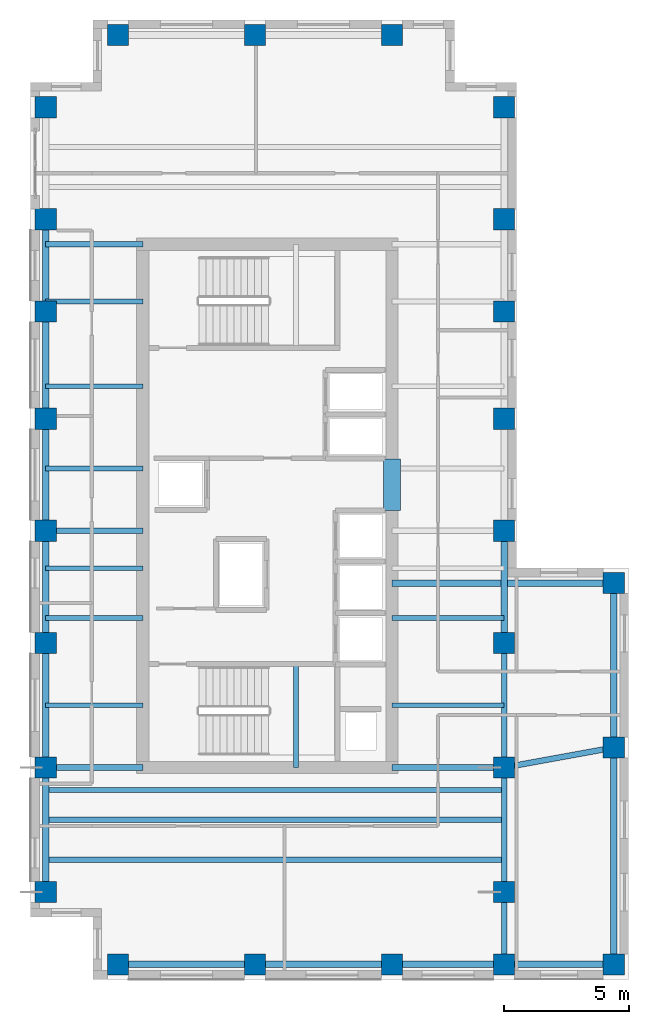
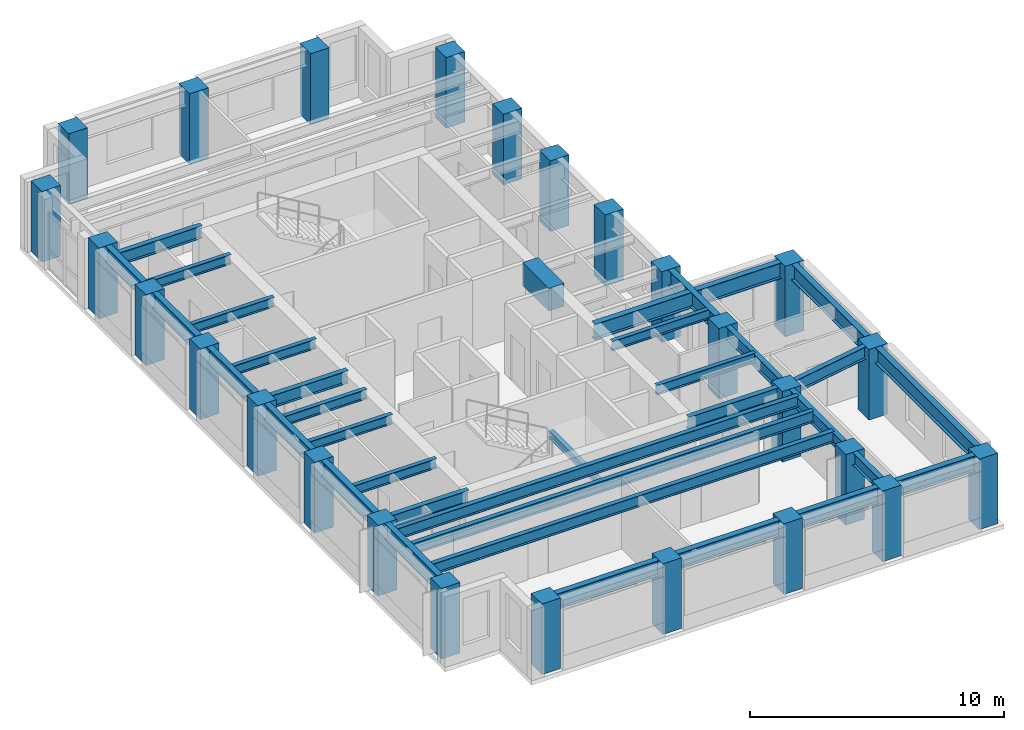
# One storey, part 1 of 10: 35 beams, 26 columns.
"""IFC4 building model written with IfcOpenShell, lengths in metres."""

from ifc_helpers import new_model, si_unit, direction, frame, origin, origin_2d, place, context, subcontext, project, spatial, rectangle, i_section, extrude, source, transform, mapped, material, material_profile, profile_set, type_object, element, save


model = new_model("IFC4")

# Units and contexts
model_context = context("Model", 3, precision=1e-05, world=origin(), true_north=direction((0.0, 1.0)))
body_context = subcontext(model_context, "Body", "Model", "MODEL_VIEW")
ifc_project = project(units=[si_unit("LENGTHUNIT", "METRE"), si_unit("AREAUNIT", "SQUARE_METRE"), si_unit("VOLUMEUNIT", "CUBIC_METRE"), si_unit("PLANEANGLEUNIT", "RADIAN"), si_unit("MASSUNIT", "GRAM", prefix="KILO")], contexts=[model_context])

# Site, building, storey
site_placement = place(None, origin())
site = spatial("IfcSite", under=ifc_project, at=site_placement, CompositionType="ELEMENT")
building_placement = place(site_placement, origin())
building = spatial("IfcBuilding", under=site, at=building_placement, Name="Kharzan Plaza Tower", CompositionType="ELEMENT")
storey_placement = place(building_placement, frame((0.0, 0.0, 266.39990234375)))
storey = spatial("IfcBuildingStorey", under=building, at=storey_placement, Name="L72", CompositionType="ELEMENT", Elevation=266.39990234375)

# Columns
ifc_material_1 = material(Name="Concrete C50/60", Category="concrete")
ifc_material_profile_1 = material_profile(ifc_material_1, rectangle(XDim=0.85009765625, YDim=0.85009765625, at=origin_2d()), Name="RC-TC850x850")
ifc_profile_set_1 = profile_set([ifc_material_profile_1], Name="Concrete C50/60")
column_type = type_object("IfcColumnType", Name="COL-TC850", PredefinedType="COLUMN", material=ifc_profile_set_1)
shared_shape_1 = source(origin(), body_context, "Body", "SweptSolid", [
    extrude(rectangle(XDim=0.85009765625, YDim=0.85009765625, at=origin_2d()), origin(), (0.0, 0.0, 1.0), 3.400146484375),
])
for number, where, z_axis, x_axis, name in (
    (1, (19.0, 13.5, 0.0), (0.0, 0.0, 1.0), (1.0, 0.0, 0.0), "L72 Structural Column TCA-135"),
    (2, (19.0, 18.0, 0.0), (0.0, 0.0, 1.0), (1.0, 0.0, 0.0), "L72 Structural Column TCA-180"),
    (3, (19.0, 22.5, 0.0), (0.0, 0.0, 1.0), (1.0, 0.0, 0.0), "L72 Structural Column TCA-225"),
    (4, (19.0, 26.800048828125, 0.0), (0.0, 0.0, 1.0), (1.0, 0.0, 0.0), "L72 Structural Column TCA-268"),
    (5, (19.0, 30.5, 0.0), (0.0, 0.0, 1.0), (1.0, 0.0, 0.0), "L72 Structural Column TCA-305"),
    (6, (19.0, 3.5, 0.0), (0.0, 0.0, 1.0), (1.0, 0.0, 0.0), "L72 Structural Column TCA-35"),
    (7, (19.0, 35.0, 0.0), (0.0, 0.0, 1.0), (1.0, 0.0, 0.0), "L72 Structural Column TCA-350"),
    (8, (19.0, 8.5, 0.0), (0.0, 0.0, 1.0), (1.0, 0.0, 0.0), "L72 Structural Column TCA-85"),
    (9, (14.5, 37.89990234375, 0.0), (0.0, 0.0, 1.0), (1.0, 0.0, 0.0), "L72 Structural Column TCN-145-379"),
    (10, (3.5, 37.89990234375, 0.0), (0.0, 0.0, 1.0), (1.0, 0.0, 0.0), "L72 Structural Column TCN-35-379"),
    (11, (9.0, 37.89990234375, 0.0), (0.0, 0.0, 1.0), (1.0, 0.0, 0.0), "L72 Structural Column TCN-90-379"),
    (12, (14.5, 0.60009765625, 0.0), (0.0, 0.0, 1.0), (1.0, 0.0, 0.0), "L72 Structural Column TCS-145"),
    (13, (19.0, 0.60009765625, 0.0), (0.0, 0.0, 1.0), (1.0, 0.0, 0.0), "L72 Structural Column TCS-190"),
    (14, (23.39990234375, 0.60009765625, 0.0), (0.0, 0.0, 1.0), (1.0, 0.0, 0.0), "L72 Structural Column TCS-234"),
    (15, (3.5, 0.60009765625, 0.0), (0.0, 0.0, 1.0), (1.0, 0.0, 0.0), "L72 Structural Column TCS-35"),
    (16, (9.0, 0.60009765625, 0.0), (0.0, 0.0, 1.0), (1.0, 0.0, 0.0), "L72 Structural Column TCS-90"),
    (17, (23.39990234375, 15.89990234375, 0.0), (0.0, 0.0, 1.0), (1.0, 0.0, 0.0), "L72 Structural Column TCSP-234-159"),
    (18, (23.39990234375, 9.300048828125, 0.0), (0.0, 0.0, 1.0), (1.0, 0.0, 0.0), "L72 Structural Column TCSP-234-93"),
    (19, (0.60009765625, 13.5, 0.0), (0.0, 0.0, 1.0), (1.0, 0.0, 0.0), "L72 Structural Column TCW-135"),
    (20, (0.60009765625, 18.0, 0.0), (0.0, 0.0, 1.0), (1.0, 0.0, 0.0), "L72 Structural Column TCW-180"),
    (21, (0.60009765625, 22.5, 0.0), (0.0, 0.0, 1.0), (1.0, 0.0, 0.0), "L72 Structural Column TCW-225"),
    (22, (0.60009765625, 26.800048828125, 0.0), (0.0, 0.0, 1.0), (1.0, 0.0, 0.0), "L72 Structural Column TCW-268"),
    (23, (0.60009765625, 30.5, 0.0), (0.0, 0.0, 1.0), (1.0, 0.0, 0.0), "L72 Structural Column TCW-305"),
    (24, (0.60009765625, 3.5, 0.0), (0.0, 0.0, 1.0), (1.0, 0.0, 0.0), "L72 Structural Column TCW-35"),
    (25, (0.60009765625, 35.0, 0.0), (0.0, 0.0, 1.0), (1.0, 0.0, 0.0), "L72 Structural Column TCW-350"),
    (26, (0.60009765625, 8.5, 0.0), (0.0, 0.0, 1.0), (1.0, 0.0, 0.0), "L72 Structural Column TCW-85"),
):
    element("IfcColumn", number, at=place(storey_placement, frame(where, z_axis=z_axis, x_axis=x_axis)), inside=storey, type_object=column_type, Name=name, PredefinedType="COLUMN", context=body_context, shape_type="MappedRepresentation", body=[
        mapped(shared_shape_1, transform((0.0, 0.0, 0.0), x_axis=(1.0, 0.0, 0.0), y_axis=(0.0, 1.0, 0.0), z_axis=(0.0, 0.0, 1.0))),
    ])

# Beams
ifc_material_2 = material(Name="Concrete C60/75", Category="concrete")
ifc_material_profile_2 = material_profile(ifc_material_2, rectangle(XDim=0.699951171875, YDim=1.10009765625, at=origin_2d()), Name="RC-CB1100x700")
ifc_profile_set_2 = profile_set([ifc_material_profile_2], Name="Concrete C60/75")
beam_type_1 = type_object("IfcBeamType", Name="BM-RCCB1100", PredefinedType="LINTEL", material=ifc_profile_set_2)
shared_shape_2 = source(origin(), body_context, "Body", "SweptSolid", [
    extrude(rectangle(XDim=0.699951171875, YDim=1.10009765625, at=origin_2d()), origin(), (0.0, 0.0, 1.0), 2.059814453125),
])
beam_1_placement = place(storey_placement, frame((14.5, 18.820068359375, 2.85009765625), z_axis=(0.0, 1.0, 0.0), x_axis=(-1.0, 0.0, 0.0)))
element("IfcBeam", 27, at=beam_1_placement, inside=storey, type_object=beam_type_1, Name="L72 CORE-A RC coupling beam CB1", PredefinedType="LINTEL", context=body_context, shape_type="MappedRepresentation", body=[
    mapped(shared_shape_2, transform((0.0, 0.0, 0.0), x_axis=(1.0, 0.0, 0.0), y_axis=(0.0, 1.0, 0.0), z_axis=(0.0, 0.0, 1.0))),
])
ifc_material_3 = material(Name="Steel S355", Category="steel")
ifc_material_profile_3 = material_profile(ifc_material_3, i_section(OverallWidth=0.205078125, OverallDepth=0.35400390625, WebThickness=0.009521484375, FlangeThickness=0.016845703125, at=origin_2d()), Name="W360x79")
ifc_profile_set_3 = profile_set([ifc_material_profile_3], Name="Steel S355")
beam_type_2 = type_object("IfcBeamType", Name="BM-LNT360", PredefinedType="LINTEL", material=ifc_profile_set_3)
shared_shape_3 = source(origin(), body_context, "Body", "SweptSolid", [
    extrude(i_section(OverallWidth=0.205078125, OverallDepth=0.35400390625, WebThickness=0.009521484375, FlangeThickness=0.016845703125, at=origin_2d()), origin(), (0.0, 0.0, 1.0), 4.155029296875),
])
beam_2_placement = place(storey_placement, frame((10.64990234375, 8.5, 1.423095703125), z_axis=(0.0, 1.0, 0.0), x_axis=(-1.0, 0.0, 0.0)))
element("IfcBeam", 28, at=beam_2_placement, inside=storey, type_object=beam_type_2, Name="L72 Stair ST-1 Half-Landing Beam", PredefinedType="LINTEL", context=body_context, shape_type="MappedRepresentation", body=[
    mapped(shared_shape_3, transform((0.0, 0.0, 0.0), x_axis=(1.0, 0.0, 0.0), y_axis=(0.0, 1.0, 0.0), z_axis=(0.0, 0.0, 1.0))),
])
ifc_material_profile_4 = material_profile(ifc_material_3, i_section(OverallWidth=0.2099609375, OverallDepth=0.537109375, WebThickness=0.010986328125, FlangeThickness=0.017333984375, at=origin_2d()), Name="W530x101")
ifc_profile_set_4 = profile_set([ifc_material_profile_4], Name="Steel S355")
beam_type_3 = type_object("IfcBeamType", Name="BM-JST530B", PredefinedType="JOIST", material=ifc_profile_set_4)
shared_shape_4 = source(origin(), body_context, "Body", "SweptSolid", [
    extrude(i_section(OverallWidth=0.2099609375, OverallDepth=0.537109375, WebThickness=0.010986328125, FlangeThickness=0.017333984375, at=origin_2d()), origin(), (0.0, 0.0, 1.0), 18.39990234375),
])
for number, where, z_axis, x_axis, name in (
    (29, (0.60009765625, 4.800048828125, 3.131591796875), (1.0, 0.0, 0.0), (0.0, 1.0, 0.0), "L72 Wing A Composite Joist 01"),
    (30, (0.60009765625, 6.39990234375, 3.131591796875), (1.0, 0.0, 0.0), (0.0, 1.0, 0.0), "L72 Wing A Composite Joist 02"),
    (31, (0.60009765625, 7.60009765625, 3.131591796875), (1.0, 0.0, 0.0), (0.0, 1.0, 0.0), "L72 Wing A Composite Joist 03"),
):
    element("IfcBeam", number, at=place(storey_placement, frame(where, z_axis=z_axis, x_axis=x_axis)), inside=storey, type_object=beam_type_3, Name=name, PredefinedType="JOIST", context=body_context, shape_type="MappedRepresentation", body=[
        mapped(shared_shape_4, transform((0.0, 0.0, 0.0), x_axis=(1.0, 0.0, 0.0), y_axis=(0.0, 1.0, 0.0), z_axis=(0.0, 0.0, 1.0))),
    ])
ifc_material_profile_5 = material_profile(ifc_material_3, i_section(OverallWidth=0.194091796875, OverallDepth=0.468994140625, WebThickness=0.011474609375, FlangeThickness=0.0205078125, at=origin_2d()), Name="W460x106")
ifc_profile_set_5 = profile_set([ifc_material_profile_5], Name="Steel S355")
beam_type_4 = type_object("IfcBeamType", Name="BM-JST460", PredefinedType="JOIST", material=ifc_profile_set_5)
shared_shape_5 = source(origin(), body_context, "Body", "SweptSolid", [
    extrude(i_section(OverallWidth=0.194091796875, OverallDepth=0.468994140625, WebThickness=0.011474609375, FlangeThickness=0.0205078125, at=origin_2d()), origin(), (0.0, 0.0, 1.0), 4.5),
])
for number, where, z_axis, x_axis, name in (
    (32, (14.5, 11.0, 3.16552734375), (1.0, 0.0, 0.0), (0.0, 1.0, 0.0), "L72 Wing A East Infill Joist 1"),
    (33, (14.5, 14.5, 3.16552734375), (1.0, 0.0, 0.0), (0.0, 1.0, 0.0), "L72 Wing A East Infill Joist 2"),
):
    element("IfcBeam", number, at=place(storey_placement, frame(where, z_axis=z_axis, x_axis=x_axis)), inside=storey, type_object=beam_type_4, Name=name, PredefinedType="JOIST", context=body_context, shape_type="MappedRepresentation", body=[
        mapped(shared_shape_5, transform((0.0, 0.0, 0.0), x_axis=(1.0, 0.0, 0.0), y_axis=(0.0, 1.0, 0.0), z_axis=(0.0, 0.0, 1.0))),
    ])
shared_shape_6 = source(origin(), body_context, "Body", "SweptSolid", [
    extrude(i_section(OverallWidth=0.194091796875, OverallDepth=0.468994140625, WebThickness=0.011474609375, FlangeThickness=0.0205078125, at=origin_2d()), origin(), (0.0, 0.0, 1.0), 3.89990234375),
])
for number, where, z_axis, x_axis, name in (
    (34, (0.60009765625, 11.0, 3.16552734375), (1.0, 0.0, 0.0), (0.0, 1.0, 0.0), "L72 Wing A West Infill Joist 1"),
    (35, (0.60009765625, 14.5, 3.16552734375), (1.0, 0.0, 0.0), (0.0, 1.0, 0.0), "L72 Wing A West Infill Joist 2"),
    (36, (0.60009765625, 16.5, 3.16552734375), (1.0, 0.0, 0.0), (0.0, 1.0, 0.0), "L72 Wing A West Infill Joist 3"),
    (37, (0.60009765625, 20.5, 3.16552734375), (1.0, 0.0, 0.0), (0.0, 1.0, 0.0), "L72 Wing A West Infill Joist 4"),
    (38, (0.60009765625, 23.800048828125, 3.16552734375), (1.0, 0.0, 0.0), (0.0, 1.0, 0.0), "L72 Wing A West Infill Joist 5"),
    (39, (0.60009765625, 27.199951171875, 3.16552734375), (1.0, 0.0, 0.0), (0.0, 1.0, 0.0), "L72 Wing A West Infill Joist 6"),
):
    element("IfcBeam", number, at=place(storey_placement, frame(where, z_axis=z_axis, x_axis=x_axis)), inside=storey, type_object=beam_type_4, Name=name, PredefinedType="JOIST", context=body_context, shape_type="MappedRepresentation", body=[
        mapped(shared_shape_6, transform((0.0, 0.0, 0.0), x_axis=(1.0, 0.0, 0.0), y_axis=(0.0, 1.0, 0.0), z_axis=(0.0, 0.0, 1.0))),
    ])
ifc_material_profile_6 = material_profile(ifc_material_3, i_section(OverallWidth=0.22900390625, OverallDepth=0.612060546875, WebThickness=0.011962890625, FlangeThickness=0.01953125, at=origin_2d()), Name="W610x125")
ifc_profile_set_6 = profile_set([ifc_material_profile_6], Name="Steel S355")
beam_type_5 = type_object("IfcBeamType", Name="BM-FG610B", PredefinedType="BEAM", material=ifc_profile_set_6)
shared_shape_7 = source(origin(), body_context, "Body", "SweptSolid", [
    extrude(i_section(OverallWidth=0.22900390625, OverallDepth=0.612060546875, WebThickness=0.011962890625, FlangeThickness=0.01953125, at=origin_2d()), origin(), (0.0, 0.0, 1.0), 4.5),
])
beam_3_placement = place(storey_placement, frame((14.5, 8.5, 3.093994140625), z_axis=(1.0, 0.0, 0.0), x_axis=(0.0, 1.0, 0.0)))
element("IfcBeam", 40, at=beam_3_placement, inside=storey, type_object=beam_type_5, Name="L72 Core-A East Floor Girder 1", PredefinedType="BEAM", context=body_context, shape_type="MappedRepresentation", body=[
    mapped(shared_shape_7, transform((0.0, 0.0, 0.0), x_axis=(1.0, 0.0, 0.0), y_axis=(0.0, 1.0, 0.0), z_axis=(0.0, 0.0, 1.0))),
])
shared_shape_8 = source(origin(), body_context, "Body", "SweptSolid", [
    extrude(i_section(OverallWidth=0.22900390625, OverallDepth=0.612060546875, WebThickness=0.011962890625, FlangeThickness=0.01953125, at=origin_2d()), origin(), (0.0, 0.0, 1.0), 3.89990234375),
])
for number, where, z_axis, x_axis, name in (
    (41, (0.60009765625, 8.5, 3.093994140625), (1.0, 0.0, 0.0), (0.0, 1.0, 0.0), "L72 Core-A West Floor Girder 1"),
    (42, (0.60009765625, 18.0, 3.093994140625), (1.0, 0.0, 0.0), (0.0, 1.0, 0.0), "L72 Core-A West Floor Girder 2"),
    (43, (0.60009765625, 29.5, 3.093994140625), (1.0, 0.0, 0.0), (0.0, 1.0, 0.0), "L72 Core-A West Floor Girder 3"),
):
    element("IfcBeam", number, at=place(storey_placement, frame(where, z_axis=z_axis, x_axis=x_axis)), inside=storey, type_object=beam_type_5, Name=name, PredefinedType="BEAM", context=body_context, shape_type="MappedRepresentation", body=[
        mapped(shared_shape_8, transform((0.0, 0.0, 0.0), x_axis=(1.0, 0.0, 0.0), y_axis=(0.0, 1.0, 0.0), z_axis=(0.0, 0.0, 1.0))),
    ])
shared_shape_9 = source(origin(), body_context, "Body", "SweptSolid", [
    extrude(i_section(OverallWidth=0.22900390625, OverallDepth=0.612060546875, WebThickness=0.011962890625, FlangeThickness=0.01953125, at=origin_2d()), origin(), (0.0, 0.0, 1.0), 5.0),
])
for number, where, z_axis, x_axis, name in (
    (44, (19.0, 3.5, 3.093994140625), (0.0, 1.0, 0.0), (-1.0, 0.0, 0.0), "L72 Interior Frame Girder"),
    (45, (19.0, 8.5, 3.093994140625), (0.0, 1.0, 0.0), (-1.0, 0.0, 0.0), "L72 Interior Frame Girder"),
):
    element("IfcBeam", number, at=place(storey_placement, frame(where, z_axis=z_axis, x_axis=x_axis)), inside=storey, type_object=beam_type_5, Name=name, PredefinedType="BEAM", context=body_context, shape_type="MappedRepresentation", body=[
        mapped(shared_shape_9, transform((0.0, 0.0, 0.0), x_axis=(1.0, 0.0, 0.0), y_axis=(0.0, 1.0, 0.0), z_axis=(0.0, 0.0, 1.0))),
    ])
shared_shape_10 = source(origin(), body_context, "Body", "SweptSolid", [
    extrude(i_section(OverallWidth=0.22900390625, OverallDepth=0.612060546875, WebThickness=0.011962890625, FlangeThickness=0.01953125, at=origin_2d()), origin(), (0.0, 0.0, 1.0), 2.89990234375),
])
beam_4_placement = place(storey_placement, frame((19.0, 0.60009765625, 3.093994140625), z_axis=(0.0, 1.0, 0.0), x_axis=(-1.0, 0.0, 0.0)))
element("IfcBeam", 46, at=beam_4_placement, inside=storey, type_object=beam_type_5, Name="L72 Interior Frame Girder", PredefinedType="BEAM", context=body_context, shape_type="MappedRepresentation", body=[
    mapped(shared_shape_10, transform((0.0, 0.0, 0.0), x_axis=(1.0, 0.0, 0.0), y_axis=(0.0, 1.0, 0.0), z_axis=(0.0, 0.0, 1.0))),
])
ifc_material_profile_7 = material_profile(ifc_material_3, i_section(OverallWidth=0.26708984375, OverallDepth=0.76611328125, WebThickness=0.014892578125, FlangeThickness=0.023681640625, at=origin_2d()), Name="W760x185")
ifc_profile_set_7 = profile_set([ifc_material_profile_7], Name="Steel S355")
beam_type_6 = type_object("IfcBeamType", Name="BM-SP760B", PredefinedType="SPANDREL", material=ifc_profile_set_7)
shared_shape_11 = source(origin(), body_context, "Body", "SweptSolid", [
    extrude(i_section(OverallWidth=0.26708984375, OverallDepth=0.76611328125, WebThickness=0.014892578125, FlangeThickness=0.023681640625, at=origin_2d()), origin(), (0.0, 0.0, 1.0), 5.0),
])
for number, where, z_axis, x_axis, name in (
    (47, (0.60009765625, 3.5, 3.01708984375), (0.0, 1.0, 0.0), (-1.0, 0.0, 0.0), "L72 Perimeter Tube Spandrel"),
    (48, (0.60009765625, 8.5, 3.01708984375), (0.0, 1.0, 0.0), (-1.0, 0.0, 0.0), "L72 Perimeter Tube Spandrel"),
):
    element("IfcBeam", number, at=place(storey_placement, frame(where, z_axis=z_axis, x_axis=x_axis)), inside=storey, type_object=beam_type_6, Name=name, PredefinedType="SPANDREL", context=body_context, shape_type="MappedRepresentation", body=[
        mapped(shared_shape_11, transform((0.0, 0.0, 0.0), x_axis=(1.0, 0.0, 0.0), y_axis=(0.0, 1.0, 0.0), z_axis=(0.0, 0.0, 1.0))),
    ])
shared_shape_12 = source(origin(), body_context, "Body", "SweptSolid", [
    extrude(i_section(OverallWidth=0.26708984375, OverallDepth=0.76611328125, WebThickness=0.014892578125, FlangeThickness=0.023681640625, at=origin_2d()), origin(), (0.0, 0.0, 1.0), 4.5),
])
for number, where, z_axis, x_axis, name in (
    (49, (0.60009765625, 13.5, 3.01708984375), (0.0, 1.0, 0.0), (-1.0, 0.0, 0.0), "L72 Perimeter Tube Spandrel"),
    (50, (0.60009765625, 18.0, 3.01708984375), (0.0, 1.0, 0.0), (-1.0, 0.0, 0.0), "L72 Perimeter Tube Spandrel"),
    (51, (19.0, 13.5, 3.01708984375), (0.0, 1.0, 0.0), (-1.0, 0.0, 0.0), "L72 Perimeter Tube Spandrel"),
    (52, (14.5, 0.60009765625, 3.01708984375), (1.0, 0.0, 0.0), (0.0, 1.0, 0.0), "L72 Perimeter Tube Spandrel"),
):
    element("IfcBeam", number, at=place(storey_placement, frame(where, z_axis=z_axis, x_axis=x_axis)), inside=storey, type_object=beam_type_6, Name=name, PredefinedType="SPANDREL", context=body_context, shape_type="MappedRepresentation", body=[
        mapped(shared_shape_12, transform((0.0, 0.0, 0.0), x_axis=(1.0, 0.0, 0.0), y_axis=(0.0, 1.0, 0.0), z_axis=(0.0, 0.0, 1.0))),
    ])
shared_shape_13 = source(origin(), body_context, "Body", "SweptSolid", [
    extrude(i_section(OverallWidth=0.26708984375, OverallDepth=0.76611328125, WebThickness=0.014892578125, FlangeThickness=0.023681640625, at=origin_2d()), origin(), (0.0, 0.0, 1.0), 4.300048828125),
])
beam_5_placement = place(storey_placement, frame((0.60009765625, 22.5, 3.01708984375), z_axis=(0.0, 1.0, 0.0), x_axis=(-1.0, 0.0, 0.0)))
element("IfcBeam", 53, at=beam_5_placement, inside=storey, type_object=beam_type_6, Name="L72 Perimeter Tube Spandrel", PredefinedType="SPANDREL", context=body_context, shape_type="MappedRepresentation", body=[
    mapped(shared_shape_13, transform((0.0, 0.0, 0.0), x_axis=(1.0, 0.0, 0.0), y_axis=(0.0, 1.0, 0.0), z_axis=(0.0, 0.0, 1.0))),
])
shared_shape_14 = source(origin(), body_context, "Body", "SweptSolid", [
    extrude(i_section(OverallWidth=0.26708984375, OverallDepth=0.76611328125, WebThickness=0.014892578125, FlangeThickness=0.023681640625, at=origin_2d()), origin(), (0.0, 0.0, 1.0), 3.699951171875),
])
beam_6_placement = place(storey_placement, frame((0.60009765625, 26.800048828125, 3.01708984375), z_axis=(0.0, 1.0, 0.0), x_axis=(-1.0, 0.0, 0.0)))
element("IfcBeam", 54, at=beam_6_placement, inside=storey, type_object=beam_type_6, Name="L72 Perimeter Tube Spandrel", PredefinedType="SPANDREL", context=body_context, shape_type="MappedRepresentation", body=[
    mapped(shared_shape_14, transform((0.0, 0.0, 0.0), x_axis=(1.0, 0.0, 0.0), y_axis=(0.0, 1.0, 0.0), z_axis=(0.0, 0.0, 1.0))),
])
shared_shape_15 = source(origin(), body_context, "Body", "SweptSolid", [
    extrude(i_section(OverallWidth=0.26708984375, OverallDepth=0.76611328125, WebThickness=0.014892578125, FlangeThickness=0.023681640625, at=origin_2d()), origin(), (0.0, 0.0, 1.0), 5.5),
])
for number, where, z_axis, x_axis, name in (
    (55, (3.5, 0.60009765625, 3.01708984375), (1.0, 0.0, 0.0), (0.0, 1.0, 0.0), "L72 Perimeter Tube Spandrel"),
    (56, (9.0, 0.60009765625, 3.01708984375), (1.0, 0.0, 0.0), (0.0, 1.0, 0.0), "L72 Perimeter Tube Spandrel"),
):
    element("IfcBeam", number, at=place(storey_placement, frame(where, z_axis=z_axis, x_axis=x_axis)), inside=storey, type_object=beam_type_6, Name=name, PredefinedType="SPANDREL", context=body_context, shape_type="MappedRepresentation", body=[
        mapped(shared_shape_15, transform((0.0, 0.0, 0.0), x_axis=(1.0, 0.0, 0.0), y_axis=(0.0, 1.0, 0.0), z_axis=(0.0, 0.0, 1.0))),
    ])
shared_shape_16 = source(origin(), body_context, "Body", "SweptSolid", [
    extrude(i_section(OverallWidth=0.26708984375, OverallDepth=0.76611328125, WebThickness=0.014892578125, FlangeThickness=0.023681640625, at=origin_2d()), origin(), (0.0, 0.0, 1.0), 4.39990234375),
])
beam_7_placement = place(storey_placement, frame((19.0, 0.60009765625, 3.01708984375), z_axis=(1.0, 0.0, 0.0), x_axis=(0.0, 1.0, 0.0)))
element("IfcBeam", 57, at=beam_7_placement, inside=storey, type_object=beam_type_6, Name="L72 Perimeter Tube Spandrel", PredefinedType="SPANDREL", context=body_context, shape_type="MappedRepresentation", body=[
    mapped(shared_shape_16, transform((0.0, 0.0, 0.0), x_axis=(1.0, 0.0, 0.0), y_axis=(0.0, 1.0, 0.0), z_axis=(0.0, 0.0, 1.0))),
])
shared_shape_17 = source(origin(), body_context, "Body", "SweptSolid", [
    extrude(i_section(OverallWidth=0.22900390625, OverallDepth=0.612060546875, WebThickness=0.011962890625, FlangeThickness=0.01953125, at=origin_2d()), origin(), (0.0, 0.0, 1.0), 4.47216796875),
])
beam_8_placement = place(storey_placement, frame((19.0, 8.5, 3.093994140625), z_axis=(0.983867289551, 0.178899850619, 0.0), x_axis=(-0.178899850619, 0.983867289551, 0.0)))
element("IfcBeam", 58, at=beam_8_placement, inside=storey, type_object=beam_type_5, Name="L72 Shoulder Mid Girder", PredefinedType="BEAM", context=body_context, shape_type="MappedRepresentation", body=[
    mapped(shared_shape_17, transform((0.0, 0.0, 0.0), x_axis=(1.0, 0.0, 0.0), y_axis=(0.0, 1.0, 0.0), z_axis=(0.0, 0.0, 1.0))),
])
shared_shape_18 = source(origin(), body_context, "Body", "SweptSolid", [
    extrude(i_section(OverallWidth=0.26708984375, OverallDepth=0.76611328125, WebThickness=0.014892578125, FlangeThickness=0.023681640625, at=origin_2d()), origin(), (0.0, 0.0, 1.0), 8.89990234375),
])
beam_9_placement = place(storey_placement, frame((14.5, 15.89990234375, 3.01708984375), z_axis=(1.0, 0.0, 0.0), x_axis=(0.0, 1.0, 0.0)))
element("IfcBeam", 59, at=beam_9_placement, inside=storey, type_object=beam_type_6, Name="L72 Shoulder North Edge Girder", PredefinedType="SPANDREL", context=body_context, shape_type="MappedRepresentation", body=[
    mapped(shared_shape_18, transform((0.0, 0.0, 0.0), x_axis=(1.0, 0.0, 0.0), y_axis=(0.0, 1.0, 0.0), z_axis=(0.0, 0.0, 1.0))),
])
shared_shape_19 = source(origin(), body_context, "Body", "SweptSolid", [
    extrude(i_section(OverallWidth=0.26708984375, OverallDepth=0.76611328125, WebThickness=0.014892578125, FlangeThickness=0.023681640625, at=origin_2d()), origin(), (0.0, 0.0, 1.0), 8.699951171875),
])
beam_10_placement = place(storey_placement, frame((23.39990234375, 0.60009765625, 3.01708984375), z_axis=(0.0, 1.0, 0.0), x_axis=(-1.0, 0.0, 0.0)))
element("IfcBeam", 60, at=beam_10_placement, inside=storey, type_object=beam_type_6, Name="L72 Perimeter Tube Spandrel", PredefinedType="SPANDREL", context=body_context, shape_type="MappedRepresentation", body=[
    mapped(shared_shape_19, transform((0.0, 0.0, 0.0), x_axis=(1.0, 0.0, 0.0), y_axis=(0.0, 1.0, 0.0), z_axis=(0.0, 0.0, 1.0))),
])
shared_shape_20 = source(origin(), body_context, "Body", "SweptSolid", [
    extrude(i_section(OverallWidth=0.26708984375, OverallDepth=0.76611328125, WebThickness=0.014892578125, FlangeThickness=0.023681640625, at=origin_2d()), origin(), (0.0, 0.0, 1.0), 6.599853515625),
])
beam_11_placement = place(storey_placement, frame((23.39990234375, 9.300048828125, 3.01708984375), z_axis=(0.0, 1.0, 0.0), x_axis=(-1.0, 0.0, 0.0)))
element("IfcBeam", 61, at=beam_11_placement, inside=storey, type_object=beam_type_6, Name="L72 Perimeter Tube Spandrel", PredefinedType="SPANDREL", context=body_context, shape_type="MappedRepresentation", body=[
    mapped(shared_shape_20, transform((0.0, 0.0, 0.0), x_axis=(1.0, 0.0, 0.0), y_axis=(0.0, 1.0, 0.0), z_axis=(0.0, 0.0, 1.0))),
])

save(model, "model.ifc")
